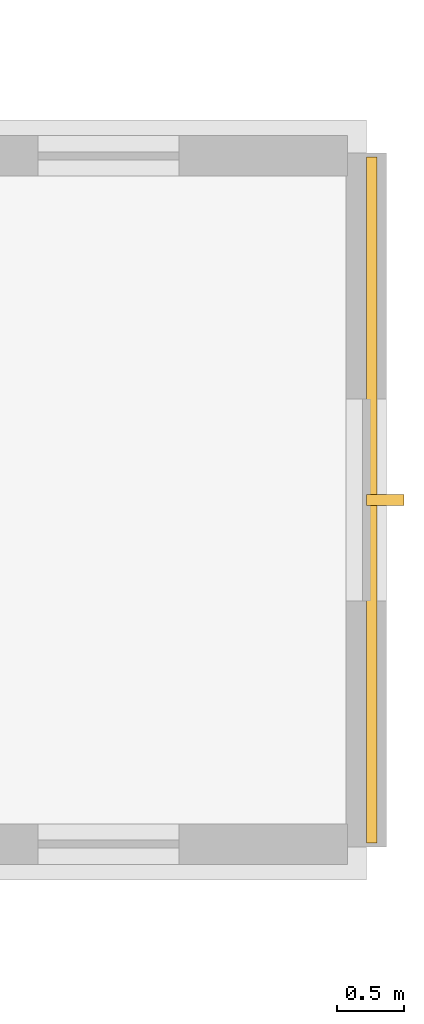
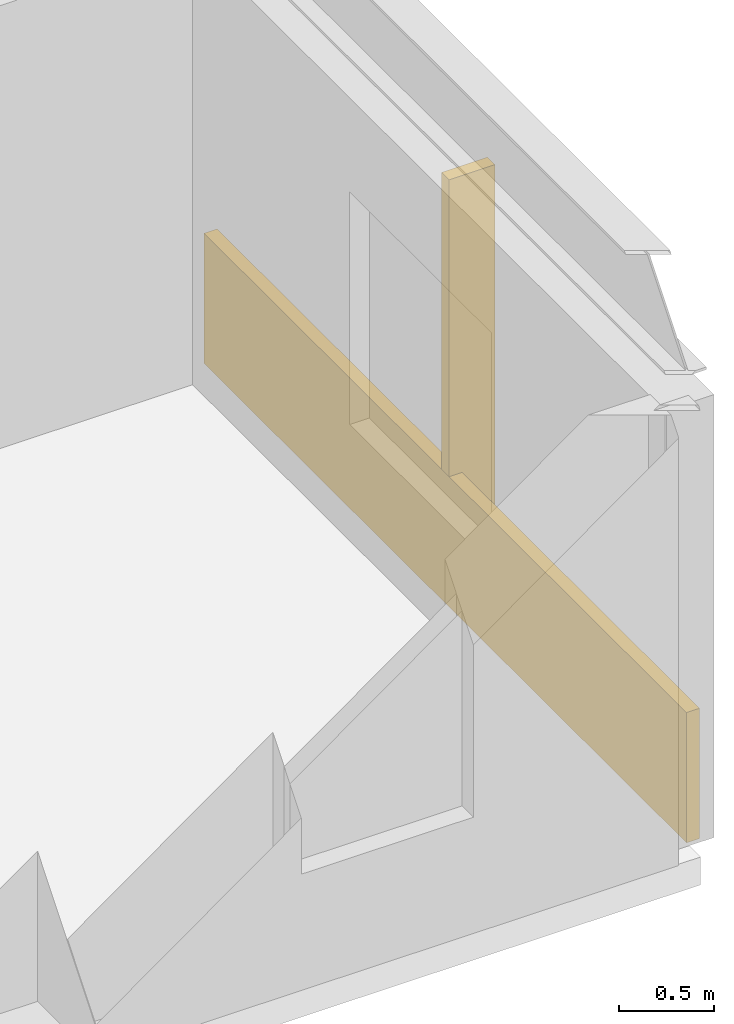
# One storey, part 27 of 28: 1 covering, 1 shading device.
"""IFC4 building model written with IfcOpenShell, lengths in metres."""

from ifc_helpers import new_model, si_unit, direction, frame, origin, origin_2d, place, context, subcontext, project, spatial, rectangle, extrude, material, layer, layer_set, type_object, element, save


model = new_model("IFC4")

# Units and contexts
model_context = context("Model", 3, precision=1e-05, world=origin(), true_north=direction((0.0, 1.0)))
body_context = subcontext(model_context, "Body", "Model", "MODEL_VIEW")
ifc_project = project(units=[si_unit("LENGTHUNIT", "METRE"), si_unit("AREAUNIT", "SQUARE_METRE"), si_unit("VOLUMEUNIT", "CUBIC_METRE"), si_unit("PLANEANGLEUNIT", "RADIAN"), si_unit("MASSUNIT", "GRAM", prefix="KILO")], contexts=[model_context])

# Site, building, storey
site_placement = place(None, origin())
site = spatial("IfcSite", under=ifc_project, at=site_placement, CompositionType="ELEMENT")
building_placement = place(site_placement, origin())
building = spatial("IfcBuilding", under=site, at=building_placement, Name="Surkhivell Harbour Commons", CompositionType="ELEMENT")
storey_placement = place(building_placement, frame((0.0, 0.0, 63.75)))
storey = spatial("IfcBuildingStorey", under=building, at=storey_placement, Name="L16", CompositionType="ELEMENT", Elevation=63.75)

# Covering
ifc_material_1 = material(Name="Vermilion-coral enamelled aluminium cassette panel", Category="aluminium")
ifc_layer = layer(ifc_material_1, 0.074951171875)
ifc_layer_set = layer_set([ifc_layer], Name="Vermilion-coral enamelled aluminium cassette panel")
covering_type = type_object("IfcCoveringType", Name="COV-CLAD-VER", PredefinedType="CLADDING", material=ifc_layer_set)
covering_placement = place(storey_placement, frame((36.739990234375, 13.5, 0.0), z_axis=(0.0, 0.0, 1.0), x_axis=(1.0, 0.0, 0.0)))
element("IfcCovering", 1, at=covering_placement, inside=storey, type_object=covering_type, Name="L16 Coloured-Panel Box Spandrel Cassette 01", PredefinedType="CLADDING", context=body_context, shape_type="SweptSolid", body=[
    extrude(rectangle(XDim=0.080078125, YDim=5.10009765625, at=origin_2d()), origin(), (0.0, 0.0, 1.0), 0.840087890625),
])

# Shading device
ifc_material_2 = material(Name="Champagne anodised aluminium solar fin", Category="aluminium")
shading_device_type = type_object("IfcShadingDeviceType", Name="SHD-FIN-SLIM", PredefinedType="USERDEFINED", material=ifc_material_2)
shading_device_placement = place(storey_placement, frame((36.840087890625, 13.5, 0.0048828125), z_axis=(0.0, 0.0, 1.0), x_axis=(1.0, 0.0, 0.0)))
element("IfcShadingDevice", 2, at=shading_device_placement, inside=storey, type_object=shading_device_type, Name="L16 Coloured-Box Solar Fin 01", ObjectType="FIN", PredefinedType="USERDEFINED", context=body_context, shape_type="SweptSolid", body=[
    extrude(rectangle(XDim=0.280029296875, YDim=0.080078125, at=origin_2d()), origin(), (0.0, 0.0, 1.0), 2.75),
])

save(model, "model.ifc")
